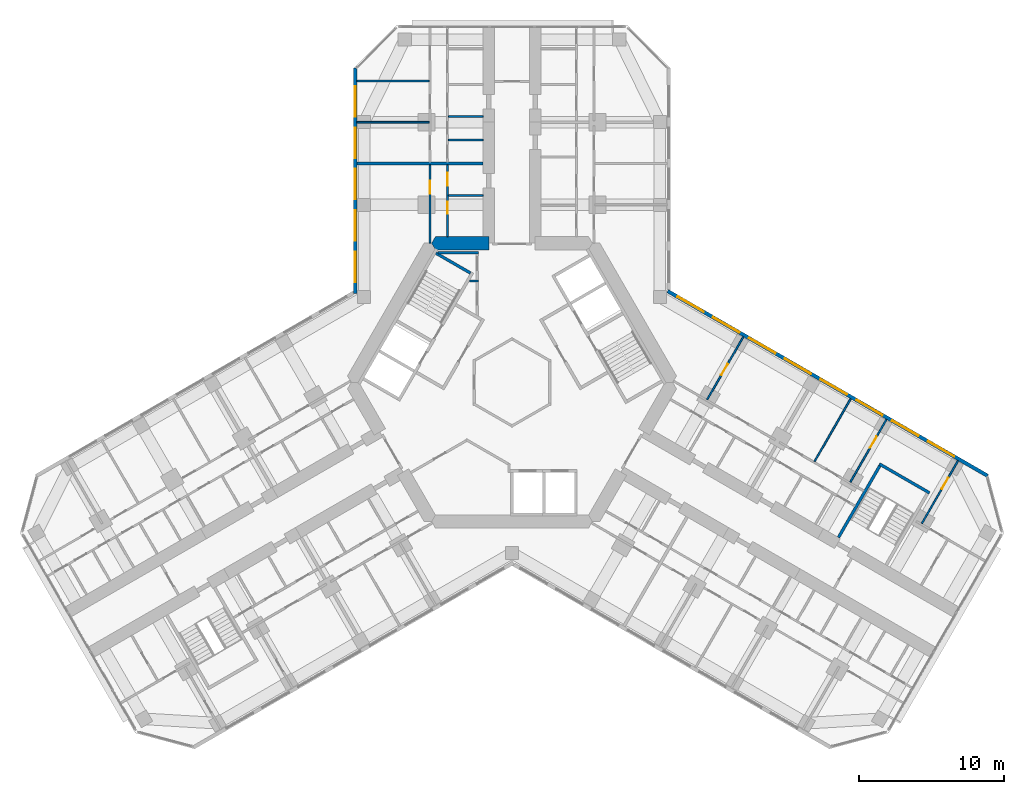
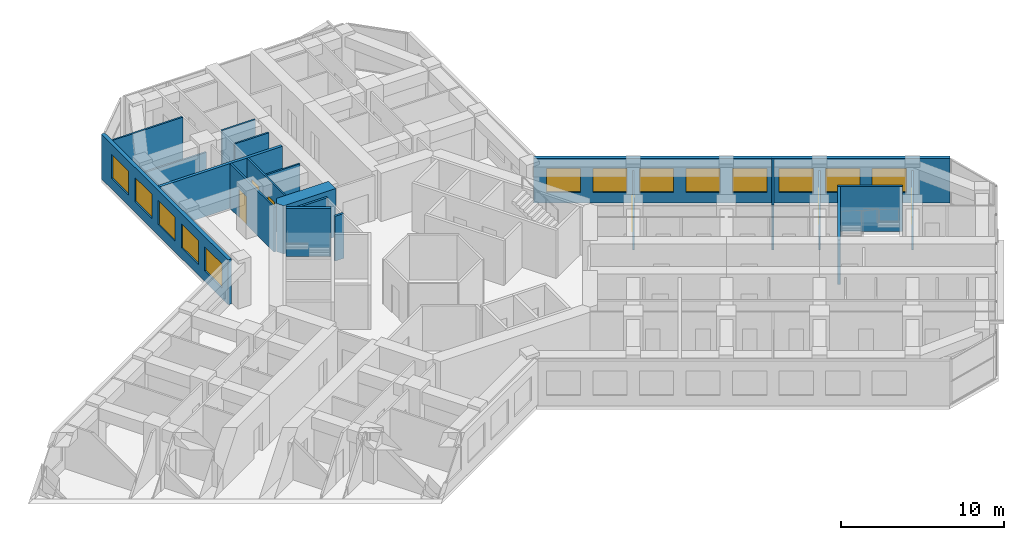
# One storey, part 16 of 19: 20 walls, 13 windows, 6 doors, 19 openings.
"""IFC4 building model written with IfcOpenShell, lengths in metres."""

from ifc_helpers import new_model, si_unit, direction, frame, frame_2d, origin, place, context, subcontext, project, spatial, polyline, rectangle, outline, extrude, material, layer, layer_set, type_object, element, fill, save


model = new_model("IFC4")

# Units and contexts
model_context = context("Model", 3, precision=1e-05, world=origin(), true_north=direction((0.0, 1.0)))
body_context = subcontext(model_context, "Body", "Model", "MODEL_VIEW")
ifc_project = project(units=[si_unit("LENGTHUNIT", "METRE"), si_unit("AREAUNIT", "SQUARE_METRE"), si_unit("VOLUMEUNIT", "CUBIC_METRE"), si_unit("PLANEANGLEUNIT", "RADIAN"), si_unit("MASSUNIT", "GRAM", prefix="KILO")], contexts=[model_context])

# Site, building, storey
site_placement = place(None, origin())
site = spatial("IfcSite", under=ifc_project, at=site_placement, CompositionType="ELEMENT")
building_placement = place(site_placement, origin())
building = spatial("IfcBuilding", under=site, at=building_placement, Name="Kosmar Iwan School Tower", CompositionType="ELEMENT")
storey_placement = place(building_placement, frame((0.0, 0.0, 165.199951171875)))
storey = spatial("IfcBuildingStorey", under=building, at=storey_placement, Name="L41", CompositionType="ELEMENT", Elevation=165.199951171875)

# Walls
ifc_material_1 = material(Name="Gypsum board on steel studs, fire-rated", Category="steel")
ifc_layer_1 = layer(ifc_material_1, 0.14990234375)
ifc_layer_set_1 = layer_set([ifc_layer_1], Name="Core room partition 150")
wall_type_1 = type_object("IfcWallType", Name="Core room partition 150", PredefinedType="PARTITIONING", material=ifc_layer_set_1)
wall_1_placement = place(storey_placement, frame((-2.324951171875, 6.985107421875, 0.0), z_axis=(0.0, 0.0, 1.0), x_axis=(-1.0, 0.0, 0.0)))
element("IfcWall", 1, at=wall_1_placement, inside=storey, type_object=wall_type_1, Name="Core room partition L41-CW2", PredefinedType="PARTITIONING", context=body_context, shape_type="SweptSolid", body=[
    extrude(rectangle(XDim=0.623779296875, YDim=0.14990234375, at=frame_2d((0.31201171875, 0.0))), origin(), (0.0, 0.0, 1.0), 3.35009765625),
])
wall_2_placement = place(storey_placement, frame((-5.089599609375, 8.93994140625, 0.0), z_axis=(0.0, 0.0, 1.0), x_axis=(1.0, 0.0, 0.0)))
element("IfcWall", 2, at=wall_2_placement, inside=storey, type_object=wall_type_1, Name="Core room partition L41-CW3", PredefinedType="PARTITIONING", context=body_context, shape_type="SweptSolid", body=[
    extrude(rectangle(XDim=2.7646484375, YDim=0.14990234375, at=frame_2d((1.38232421875, 0.0))), origin(), (0.0, 0.0, 1.0), 3.35009765625),
])
ifc_material_2 = material(Name="Concrete C50/60", Category="concrete")
ifc_layer_2 = layer(ifc_material_2, 0.89990234375)
ifc_layer_set_2 = layer_set([ifc_layer_2], Name="Core wall 900")
wall_type_2 = type_object("IfcWallType", Name="Core wall 900", PredefinedType="SHEAR", material=ifc_layer_set_2)
wall_3_placement = place(storey_placement, origin())
element("IfcWall", 3, at=wall_3_placement, inside=storey, type_object=wall_type_2, Name="Core wall F090b", PredefinedType="SHEAR", context=body_context, shape_type="SweptSolid", body=[
    extrude(outline(polyline([(-5.28271484375, 9.14990234375), (-1.60009765625, 9.14990234375), (-1.60009765625, 10.050048828125), (-5.28271484375, 10.050048828125), (-5.54248046875, 9.60009765625), (-5.28271484375, 9.14990234375)])), origin(), (0.0, 0.0, 1.0), 3.60009765625),
])

# Wall, openings, doors
ifc_material_3 = material(Name="Gypsum board on steel studs", Category="steel")
ifc_layer_3 = layer(ifc_material_3, 0.1201171875)
ifc_layer_set_3 = layer_set([ifc_layer_3], Name="Dwelling partition 120")
wall_type_3 = type_object("IfcWallType", Name="Dwelling partition 120", PredefinedType="PARTITIONING", material=ifc_layer_set_3)
wall_4_placement = place(storey_placement, frame((-4.449951171875, 10.050048828125, 0.0), z_axis=(0.0, 0.0, 1.0), x_axis=(0.0, 1.0, 0.0)))
wall_4 = element("IfcWall", 4, at=wall_4_placement, inside=storey, type_object=wall_type_3, Name="Partition L41-AL1-W1", PredefinedType="PARTITIONING", context=body_context, shape_type="SweptSolid", body=[
    extrude(rectangle(XDim=4.949951171875, YDim=0.1201171875, at=frame_2d((2.47509765625, 0.0))), origin(), (0.0, 0.0, 1.0), 3.35009765625),
])
opening_1_placement = place(wall_4_placement, frame((1.60009765625, 0.0, 0.0)))
opening_1 = element("IfcOpeningElement", 5, at=opening_1_placement, cuts=wall_4, Name="Opening D3", PredefinedType="OPENING", context=body_context, shape_type="SweptSolid", body=[
    extrude(rectangle(XDim=0.800048828125, YDim=2.10009765625, at=frame_2d((0.39990234375, 1.050048828125))), frame((0.0, 0.072021484375, 0.0), z_axis=(0.0, -1.0, 0.0), x_axis=(1.0, 0.0, 0.0)), (0.0, 0.0, 1.0), 0.14404296875),
])
opening_2_placement = place(wall_4_placement, frame((3.5, 0.0, 0.0)))
opening_2 = element("IfcOpeningElement", 6, at=opening_2_placement, cuts=wall_4, Name="Opening D2", PredefinedType="OPENING", context=body_context, shape_type="SweptSolid", body=[
    extrude(rectangle(XDim=0.89990234375, YDim=2.10009765625, at=frame_2d((0.449951171875, 1.050048828125))), frame((0.0, 0.072021484375, 0.0), z_axis=(0.0, -1.0, 0.0), x_axis=(1.0, 0.0, 0.0)), (0.0, 0.0, 1.0), 0.14404296875),
])
ifc_material_4 = material(Name="Timber door in timber frame", Category="wood")
door_type_1 = type_object("IfcDoorType", Name="Internal door 900x2100", OperationType="SINGLE_SWING_LEFT", PredefinedType="DOOR", material=ifc_material_4)
door_1_placement = place(opening_2_placement, origin())
door_1 = element("IfcDoor", 7, at=door_1_placement, inside=storey, type_object=door_type_1, Name="Entrance hall door L41-AL1-S2", OperationType="SINGLE_SWING_RIGHT", OverallHeight=2.10009765625, OverallWidth=0.89990234375, PredefinedType="DOOR", context=body_context, shape_type="SweptSolid", body=[
    extrude(rectangle(XDim=0.89990234375, YDim=2.10009765625, at=frame_2d((0.449951171875, 1.050048828125))), frame((0.0, 0.02490234375, 0.0), z_axis=(0.0, -1.0, 0.0), x_axis=(1.0, 0.0, 0.0)), (0.0, 0.0, 1.0), 0.050048828125),
])
fill(opening_2, door_1)
ifc_material_5 = material(Name="Timber door in timber frame", Category="wood")
door_type_2 = type_object("IfcDoorType", Name="Sanitary room door 800x2100", OperationType="SINGLE_SWING_LEFT", PredefinedType="DOOR", material=ifc_material_5)
door_2_placement = place(opening_1_placement, origin())
door_2 = element("IfcDoor", 8, at=door_2_placement, inside=storey, type_object=door_type_2, Name="Bathroom door L41-AL1-S1", OperationType="SINGLE_SWING_LEFT", OverallHeight=2.10009765625, OverallWidth=0.800048828125, PredefinedType="DOOR", context=body_context, shape_type="SweptSolid", body=[
    extrude(rectangle(XDim=0.800048828125, YDim=2.10009765625, at=frame_2d((0.39990234375, 1.050048828125))), frame((0.0, 0.02490234375, 0.0), z_axis=(0.0, -1.0, 0.0), x_axis=(1.0, 0.0, 0.0)), (0.0, 0.0, 1.0), 0.050048828125),
])
fill(opening_1, door_2)

# Wall, opening, door
wall_5_placement = place(storey_placement, frame((-5.64990234375, 9.60009765625, 0.0), z_axis=(0.0, 0.0, 1.0), x_axis=(0.0, 1.0, 0.0)))
wall_5 = element("IfcWall", 9, at=wall_5_placement, inside=storey, type_object=wall_type_3, Name="Partition L41-AL1-W2", PredefinedType="PARTITIONING", context=body_context, shape_type="SweptSolid", body=[
    extrude(rectangle(XDim=5.39990234375, YDim=0.1201171875, at=frame_2d((2.699951171875, 0.0))), origin(), (0.0, 0.0, 1.0), 3.35009765625),
])
opening_3_placement = place(wall_5_placement, frame((3.39990234375, 0.0, 0.0)))
opening_3 = element("IfcOpeningElement", 10, at=opening_3_placement, cuts=wall_5, Name="Opening D2", PredefinedType="OPENING", context=body_context, shape_type="SweptSolid", body=[
    extrude(rectangle(XDim=0.89990234375, YDim=2.10009765625, at=frame_2d((0.449951171875, 1.050048828125))), frame((0.0, 0.072021484375, 0.0), z_axis=(0.0, -1.0, 0.0), x_axis=(1.0, 0.0, 0.0)), (0.0, 0.0, 1.0), 0.14404296875),
])
door_3_placement = place(opening_3_placement, origin())
door_3 = element("IfcDoor", 11, at=door_3_placement, inside=storey, type_object=door_type_1, Name="Studio living room and kitchen door L41-AL1-F1", OperationType="SINGLE_SWING_RIGHT", OverallHeight=2.10009765625, OverallWidth=0.89990234375, PredefinedType="DOOR", context=body_context, shape_type="SweptSolid", body=[
    extrude(rectangle(XDim=0.89990234375, YDim=2.10009765625, at=frame_2d((0.449951171875, 1.050048828125))), frame((0.0, 0.02490234375, 0.0), z_axis=(0.0, -1.0, 0.0), x_axis=(1.0, 0.0, 0.0)), (0.0, 0.0, 1.0), 0.050048828125),
])
fill(opening_3, door_3)

# Walls
wall_6_placement = place(storey_placement, frame((-2.0, 12.89990234375, 0.0), z_axis=(0.0, 0.0, 1.0), x_axis=(-1.0, 0.0, 0.0)))
element("IfcWall", 12, at=wall_6_placement, inside=storey, type_object=wall_type_3, Name="Partition L41-AL1-Y1", PredefinedType="PARTITIONING", context=body_context, shape_type="SweptSolid", body=[
    extrude(rectangle(XDim=2.389892578125, YDim=0.1201171875, at=frame_2d((1.19482421875, 0.0))), origin(), (0.0, 0.0, 1.0), 3.35009765625),
])
wall_7_placement = place(storey_placement, frame((-5.7099609375, 17.949951171875, 0.0), z_axis=(0.0, 0.0, 1.0), x_axis=(-1.0, 0.0, 0.0)))
element("IfcWall", 13, at=wall_7_placement, inside=storey, type_object=wall_type_3, Name="Partition L41-AL2-X1", PredefinedType="PARTITIONING", context=body_context, shape_type="SweptSolid", body=[
    extrude(rectangle(XDim=4.989990234375, YDim=0.1201171875, at=frame_2d((2.4951171875, 0.0))), origin(), (0.0, 0.0, 1.0), 2.449951171875),
])
wall_8_placement = place(storey_placement, frame((-5.7099609375, 20.800048828125, 0.0), z_axis=(0.0, 0.0, 1.0), x_axis=(-1.0, 0.0, 0.0)))
element("IfcWall", 14, at=wall_8_placement, inside=storey, type_object=wall_type_3, Name="Partition L41-AL2-X2", PredefinedType="PARTITIONING", context=body_context, shape_type="SweptSolid", body=[
    extrude(rectangle(XDim=4.989990234375, YDim=0.1201171875, at=frame_2d((2.4951171875, 0.0))), origin(), (0.0, 0.0, 1.0), 3.35009765625),
])
for number, where, z_axis, x_axis, name in (
    (15, (-2.0, 16.72509765625, 0.0), (0.0, 0.0, 1.0), (-1.0, 0.0, 0.0), "Partition L41-AL2-Y1"),
    (16, (-2.0, 18.35009765625, 0.0), (0.0, 0.0, 1.0), (-1.0, 0.0, 0.0), "Partition L41-AL2-Y2"),
):
    element("IfcWall", number, at=place(storey_placement, frame(where, z_axis=z_axis, x_axis=x_axis)), inside=storey, type_object=wall_type_3, Name=name, PredefinedType="PARTITIONING", context=body_context, shape_type="SweptSolid", body=[
        extrude(rectangle(XDim=2.389892578125, YDim=0.1201171875, at=frame_2d((1.19482421875, 0.0))), origin(), (0.0, 0.0, 1.0), 3.35009765625),
    ])

# Wall, opening, door
wall_9_placement = place(storey_placement, frame((13.4638671875, -1.179931640625, 0.0), z_axis=(0.0, 0.0, 1.0), x_axis=(0.499975153383, 0.86603974851, 0.0)))
wall_9 = element("IfcWall", 17, at=wall_9_placement, inside=storey, type_object=wall_type_3, Name="Partition L41-CL1-X1", PredefinedType="PARTITIONING", context=body_context, shape_type="SweptSolid", body=[
    extrude(rectangle(XDim=4.989990234375, YDim=0.1201171875, at=frame_2d((2.4951171875, 0.0))), origin(), (0.0, 0.0, 1.0), 2.449951171875),
])
opening_4_placement = place(wall_9_placement, frame((1.93994140625, 0.0, 0.0)))
opening_4 = element("IfcOpeningElement", 18, at=opening_4_placement, cuts=wall_9, Name="Opening D2", PredefinedType="OPENING", context=body_context, shape_type="SweptSolid", body=[
    extrude(rectangle(XDim=0.89990234375, YDim=2.10009765625, at=frame_2d((0.449951171875, 1.050048828125))), frame((0.0, 0.072021484375, 0.0), z_axis=(0.0, -1.0, 0.0), x_axis=(1.0, 0.0, 0.0)), (0.0, 0.0, 1.0), 0.14404296875),
])
door_4_placement = place(opening_4_placement, origin())
door_4 = element("IfcDoor", 19, at=door_4_placement, inside=storey, type_object=door_type_1, Name="Kitchen and dining room door L41-CL1-F1", OperationType="SINGLE_SWING_LEFT", OverallHeight=2.10009765625, OverallWidth=0.89990234375, PredefinedType="DOOR", context=body_context, shape_type="SweptSolid", body=[
    extrude(rectangle(XDim=0.89990234375, YDim=2.10009765625, at=frame_2d((0.449951171875, 1.050048828125))), frame((0.0, 0.02490234375, 0.0), z_axis=(0.0, -1.0, 0.0), x_axis=(1.0, 0.0, 0.0)), (0.0, 0.0, 1.0), 0.050048828125),
])
fill(opening_4, door_4)

# Wall
wall_10_placement = place(storey_placement, frame((20.868408203125, -5.455078125, 0.0), z_axis=(0.0, 0.0, 1.0), x_axis=(0.499975153383, 0.86603974851, 0.0)))
element("IfcWall", 20, at=wall_10_placement, inside=storey, type_object=wall_type_3, Name="Partition L41-CL2-X1", PredefinedType="PARTITIONING", context=body_context, shape_type="SweptSolid", body=[
    extrude(rectangle(XDim=4.989990234375, YDim=0.1201171875, at=frame_2d((2.4951171875, 0.0))), origin(), (0.0, 0.0, 1.0), 3.35009765625),
])

# Wall, opening, door
wall_11_placement = place(storey_placement, frame((23.33642578125, -6.8798828125, 0.0), z_axis=(0.0, 0.0, 1.0), x_axis=(0.500033033937, 0.866006330792, 0.0)))
wall_11 = element("IfcWall", 21, at=wall_11_placement, inside=storey, type_object=wall_type_3, Name="Partition L41-CL2-TB", PredefinedType="PARTITIONING", context=body_context, shape_type="SweptSolid", body=[
    extrude(rectangle(XDim=4.989990234375, YDim=0.1201171875, at=frame_2d((2.4951171875, 0.0))), origin(), (0.0, 0.0, 1.0), 2.449951171875),
])
opening_5_placement = place(wall_11_placement, frame((2.739990234375, 0.0, 0.0)))
opening_5 = element("IfcOpeningElement", 22, at=opening_5_placement, cuts=wall_11, Name="Opening D2", PredefinedType="OPENING", context=body_context, shape_type="SweptSolid", body=[
    extrude(rectangle(XDim=0.89990234375, YDim=2.10009765625, at=frame_2d((0.449951171875, 1.050048828125))), frame((0.0, 0.072021484375, 0.0), z_axis=(0.0, -1.0, 0.0), x_axis=(1.0, 0.0, 0.0)), (0.0, 0.0, 1.0), 0.14404296875),
])
door_5_placement = place(opening_5_placement, origin())
door_5 = element("IfcDoor", 23, at=door_5_placement, inside=storey, type_object=door_type_1, Name="Study door L41-CL2-F2", OperationType="SINGLE_SWING_RIGHT", OverallHeight=2.10009765625, OverallWidth=0.89990234375, PredefinedType="DOOR", context=body_context, shape_type="SweptSolid", body=[
    extrude(rectangle(XDim=0.89990234375, YDim=2.10009765625, at=frame_2d((0.449951171875, 1.050048828125))), frame((0.0, 0.02490234375, 0.0), z_axis=(0.0, -1.0, 0.0), x_axis=(1.0, 0.0, 0.0)), (0.0, 0.0, 1.0), 0.050048828125),
])
fill(opening_5, door_5)

wall_12_placement = place(storey_placement, frame((28.27294921875, -9.72998046875, 0.0), z_axis=(0.0, 0.0, 1.0), x_axis=(0.499975153383, 0.86603974851, 0.0)))
wall_12 = element("IfcWall", 24, at=wall_12_placement, inside=storey, type_object=wall_type_3, Name="Partition L41-CL2-TX", PredefinedType="PARTITIONING", context=body_context, shape_type="SweptSolid", body=[
    extrude(rectangle(XDim=4.989990234375, YDim=0.1201171875, at=frame_2d((2.4951171875, 0.0))), origin(), (0.0, 0.0, 1.0), 2.449951171875),
])
opening_6_placement = place(wall_12_placement, frame((2.739990234375, 0.0, 0.0)))
opening_6 = element("IfcOpeningElement", 25, at=opening_6_placement, cuts=wall_12, Name="Opening D2", PredefinedType="OPENING", context=body_context, shape_type="SweptSolid", body=[
    extrude(rectangle(XDim=0.89990234375, YDim=2.10009765625, at=frame_2d((0.449951171875, 1.050048828125))), frame((0.0, 0.072021484375, 0.0), z_axis=(0.0, -1.0, 0.0), x_axis=(1.0, 0.0, 0.0)), (0.0, 0.0, 1.0), 0.14404296875),
])
door_6_placement = place(opening_6_placement, origin())
door_6 = element("IfcDoor", 26, at=door_6_placement, inside=storey, type_object=door_type_1, Name="Study door L41-CL2-T1", OperationType="SINGLE_SWING_RIGHT", OverallHeight=2.10009765625, OverallWidth=0.89990234375, PredefinedType="DOOR", context=body_context, shape_type="SweptSolid", body=[
    extrude(rectangle(XDim=0.89990234375, YDim=2.10009765625, at=frame_2d((0.449951171875, 1.050048828125))), frame((0.0, 0.02490234375, 0.0), z_axis=(0.0, -1.0, 0.0), x_axis=(1.0, 0.0, 0.0)), (0.0, 0.0, 1.0), 0.050048828125),
])
fill(opening_6, door_6)

# Walls
ifc_material_6 = material(Name="Concrete C35/45", Category="concrete")
ifc_layer_4 = layer(ifc_material_6, 0.199951171875)
ifc_layer_set_4 = layer_set([ifc_layer_4], Name="Escape stair wall 200")
wall_type_4 = type_object("IfcWallType", Name="Escape stair wall 200", PredefinedType="SHEAR", material=ifc_layer_set_4)
wall_13_placement = place(storey_placement, frame((22.520751953125, -10.69287109375, 0.0), z_axis=(0.0, 0.0, 1.0), x_axis=(0.500006628179, 0.86602157697, 0.0)))
element("IfcWall", 27, at=wall_13_placement, inside=storey, type_object=wall_type_4, Name="Stair WS3 wall", PredefinedType="SHEAR", context=body_context, shape_type="SweptSolid", body=[
    extrude(rectangle(XDim=5.89990234375, YDim=0.199951171875, at=frame_2d((2.949951171875, 0.0))), origin(), (0.0, 0.0, 1.0), 3.330078125),
])
wall_14_placement = place(storey_placement, frame((25.334228515625, -5.6201171875, 0.0), z_axis=(0.0, 0.0, 1.0), x_axis=(0.866026010844, -0.49999894854, 0.0)))
element("IfcWall", 28, at=wall_14_placement, inside=storey, type_object=wall_type_4, Name="Stair WS3 wall", PredefinedType="SHEAR", context=body_context, shape_type="SweptSolid", body=[
    extrude(rectangle(XDim=4.0, YDim=0.199951171875, at=frame_2d((2.0, 0.0))), origin(), (0.0, 0.0, 1.0), 3.330078125),
])

# Wall, openings, windows
ifc_material_7 = material(Name="Black aluminium rainscreen on insulated framing", Category="aluminium")
ifc_layer_5 = layer(ifc_material_7, 0.25)
ifc_layer_set_5 = layer_set([ifc_layer_5], Name="External wall rainscreen 250")
wall_type_5 = type_object("IfcWallType", Name="External wall rainscreen 250", PredefinedType="SOLIDWALL", material=ifc_layer_set_5)
wall_15_placement = place(storey_placement, frame((10.73681640625, 6.30078125, 0.0), z_axis=(0.0, 0.0, 1.0), x_axis=(0.866026390279, -0.499998291337, 0.0)))
wall_15 = element("IfcWall", 29, at=wall_15_placement, inside=storey, type_object=wall_type_5, Name="External wall CL L41", PredefinedType="SOLIDWALL", context=body_context, shape_type="SweptSolid", body=[
    extrude(rectangle(XDim=25.4873046875, YDim=0.25, at=frame_2d((12.74365234375, 0.0))), origin(), (0.0, 0.0, 1.0), 3.35009765625),
])
opening_7_placement = place(wall_15_placement, frame((0.777099609375, 0.0, 0.800048828125)))
opening_7 = element("IfcOpeningElement", 30, at=opening_7_placement, cuts=wall_15, Name="Opening W4", PredefinedType="OPENING", context=body_context, shape_type="SweptSolid", body=[
    extrude(rectangle(XDim=2.10009765625, YDim=1.800048828125, at=frame_2d((1.050048828125, 0.89990234375))), frame((0.0, 0.136962890625, 0.0), z_axis=(0.0, -1.0, 0.0), x_axis=(1.0, 0.0, 0.0)), (0.0, 0.0, 1.0), 0.27392578125),
])
opening_8_placement = place(wall_15_placement, frame((3.626953125, 0.0, 0.800048828125)))
opening_8 = element("IfcOpeningElement", 31, at=opening_8_placement, cuts=wall_15, Name="Opening W4", PredefinedType="OPENING", context=body_context, shape_type="SweptSolid", body=[
    extrude(rectangle(XDim=2.10009765625, YDim=1.800048828125, at=frame_2d((1.050048828125, 0.89990234375))), frame((0.0, 0.136962890625, 0.0), z_axis=(0.0, -1.0, 0.0), x_axis=(1.0, 0.0, 0.0)), (0.0, 0.0, 1.0), 0.27392578125),
])
opening_9_placement = place(wall_15_placement, frame((6.47705078125, 0.0, 0.800048828125)))
opening_9 = element("IfcOpeningElement", 32, at=opening_9_placement, cuts=wall_15, Name="Opening W4", PredefinedType="OPENING", context=body_context, shape_type="SweptSolid", body=[
    extrude(rectangle(XDim=2.10009765625, YDim=1.800048828125, at=frame_2d((1.050048828125, 0.89990234375))), frame((0.0, 0.136962890625, 0.0), z_axis=(0.0, -1.0, 0.0), x_axis=(1.0, 0.0, 0.0)), (0.0, 0.0, 1.0), 0.27392578125),
])
opening_10_placement = place(wall_15_placement, frame((9.326904296875, 0.0, 0.800048828125)))
opening_10 = element("IfcOpeningElement", 33, at=opening_10_placement, cuts=wall_15, Name="Opening W4", PredefinedType="OPENING", context=body_context, shape_type="SweptSolid", body=[
    extrude(rectangle(XDim=2.10009765625, YDim=1.800048828125, at=frame_2d((1.050048828125, 0.89990234375))), frame((0.0, 0.136962890625, 0.0), z_axis=(0.0, -1.0, 0.0), x_axis=(1.0, 0.0, 0.0)), (0.0, 0.0, 1.0), 0.27392578125),
])
opening_11_placement = place(wall_15_placement, frame((12.177001953125, 0.0, 0.800048828125)))
opening_11 = element("IfcOpeningElement", 34, at=opening_11_placement, cuts=wall_15, Name="Opening W4", PredefinedType="OPENING", context=body_context, shape_type="SweptSolid", body=[
    extrude(rectangle(XDim=2.10009765625, YDim=1.800048828125, at=frame_2d((1.050048828125, 0.89990234375))), frame((0.0, 0.136962890625, 0.0), z_axis=(0.0, -1.0, 0.0), x_axis=(1.0, 0.0, 0.0)), (0.0, 0.0, 1.0), 0.27392578125),
])
opening_12_placement = place(wall_15_placement, frame((15.027099609375, 0.0, 0.800048828125)))
opening_12 = element("IfcOpeningElement", 35, at=opening_12_placement, cuts=wall_15, Name="Opening W4", PredefinedType="OPENING", context=body_context, shape_type="SweptSolid", body=[
    extrude(rectangle(XDim=2.10009765625, YDim=1.800048828125, at=frame_2d((1.050048828125, 0.89990234375))), frame((0.0, 0.136962890625, 0.0), z_axis=(0.0, -1.0, 0.0), x_axis=(1.0, 0.0, 0.0)), (0.0, 0.0, 1.0), 0.27392578125),
])
opening_13_placement = place(wall_15_placement, frame((17.876953125, 0.0, 0.800048828125)))
opening_13 = element("IfcOpeningElement", 36, at=opening_13_placement, cuts=wall_15, Name="Opening W4", PredefinedType="OPENING", context=body_context, shape_type="SweptSolid", body=[
    extrude(rectangle(XDim=2.10009765625, YDim=1.800048828125, at=frame_2d((1.050048828125, 0.89990234375))), frame((0.0, 0.136962890625, 0.0), z_axis=(0.0, -1.0, 0.0), x_axis=(1.0, 0.0, 0.0)), (0.0, 0.0, 1.0), 0.27392578125),
])
opening_14_placement = place(wall_15_placement, frame((20.72705078125, 0.0, 0.800048828125)))
opening_14 = element("IfcOpeningElement", 37, at=opening_14_placement, cuts=wall_15, Name="Opening W4", PredefinedType="OPENING", context=body_context, shape_type="SweptSolid", body=[
    extrude(rectangle(XDim=2.10009765625, YDim=1.800048828125, at=frame_2d((1.050048828125, 0.89990234375))), frame((0.0, 0.136962890625, 0.0), z_axis=(0.0, -1.0, 0.0), x_axis=(1.0, 0.0, 0.0)), (0.0, 0.0, 1.0), 0.27392578125),
])
ifc_material_8 = material(Name="Black aluminium frame with dark triple glazing", Category="aluminium")
window_type = type_object("IfcWindowType", Name="Window 2100x1800", PartitioningType="SINGLE_PANEL", PredefinedType="WINDOW", material=ifc_material_8)
window_1_placement = place(opening_7_placement, origin())
window_1 = element("IfcWindow", 38, at=window_1_placement, inside=storey, type_object=window_type, Name="Window CL L41 -1", OverallHeight=1.800048828125, OverallWidth=2.10009765625, PartitioningType="SINGLE_PANEL", PredefinedType="WINDOW", context=body_context, shape_type="SweptSolid", body=[
    extrude(rectangle(XDim=2.10009765625, YDim=1.800048828125, at=frame_2d((1.050048828125, 0.89990234375))), frame((0.0, 0.030029296875, 0.0), z_axis=(0.0, -1.0, 0.0), x_axis=(1.0, 0.0, 0.0)), (0.0, 0.0, 1.0), 0.06005859375),
])
fill(opening_7, window_1)
window_2_placement = place(opening_8_placement, origin())
window_2 = element("IfcWindow", 39, at=window_2_placement, inside=storey, type_object=window_type, Name="Window CL L41 0", OverallHeight=1.800048828125, OverallWidth=2.10009765625, PartitioningType="SINGLE_PANEL", PredefinedType="WINDOW", context=body_context, shape_type="SweptSolid", body=[
    extrude(rectangle(XDim=2.10009765625, YDim=1.800048828125, at=frame_2d((1.050048828125, 0.89990234375))), frame((0.0, 0.030029296875, 0.0), z_axis=(0.0, -1.0, 0.0), x_axis=(1.0, 0.0, 0.0)), (0.0, 0.0, 1.0), 0.06005859375),
])
fill(opening_8, window_2)
window_3_placement = place(opening_9_placement, origin())
window_3 = element("IfcWindow", 40, at=window_3_placement, inside=storey, type_object=window_type, Name="Window CL L41 1", OverallHeight=1.800048828125, OverallWidth=2.10009765625, PartitioningType="SINGLE_PANEL", PredefinedType="WINDOW", context=body_context, shape_type="SweptSolid", body=[
    extrude(rectangle(XDim=2.10009765625, YDim=1.800048828125, at=frame_2d((1.050048828125, 0.89990234375))), frame((0.0, 0.030029296875, 0.0), z_axis=(0.0, -1.0, 0.0), x_axis=(1.0, 0.0, 0.0)), (0.0, 0.0, 1.0), 0.06005859375),
])
fill(opening_9, window_3)
window_4_placement = place(opening_10_placement, origin())
window_4 = element("IfcWindow", 41, at=window_4_placement, inside=storey, type_object=window_type, Name="Window CL L41 2", OverallHeight=1.800048828125, OverallWidth=2.10009765625, PartitioningType="SINGLE_PANEL", PredefinedType="WINDOW", context=body_context, shape_type="SweptSolid", body=[
    extrude(rectangle(XDim=2.10009765625, YDim=1.800048828125, at=frame_2d((1.050048828125, 0.89990234375))), frame((0.0, 0.030029296875, 0.0), z_axis=(0.0, -1.0, 0.0), x_axis=(1.0, 0.0, 0.0)), (0.0, 0.0, 1.0), 0.06005859375),
])
fill(opening_10, window_4)
window_5_placement = place(opening_11_placement, origin())
window_5 = element("IfcWindow", 42, at=window_5_placement, inside=storey, type_object=window_type, Name="Window CL L41 3", OverallHeight=1.800048828125, OverallWidth=2.10009765625, PartitioningType="SINGLE_PANEL", PredefinedType="WINDOW", context=body_context, shape_type="SweptSolid", body=[
    extrude(rectangle(XDim=2.10009765625, YDim=1.800048828125, at=frame_2d((1.050048828125, 0.89990234375))), frame((0.0, 0.030029296875, 0.0), z_axis=(0.0, -1.0, 0.0), x_axis=(1.0, 0.0, 0.0)), (0.0, 0.0, 1.0), 0.06005859375),
])
fill(opening_11, window_5)
window_6_placement = place(opening_12_placement, origin())
window_6 = element("IfcWindow", 43, at=window_6_placement, inside=storey, type_object=window_type, Name="Window CL L41 4", OverallHeight=1.800048828125, OverallWidth=2.10009765625, PartitioningType="SINGLE_PANEL", PredefinedType="WINDOW", context=body_context, shape_type="SweptSolid", body=[
    extrude(rectangle(XDim=2.10009765625, YDim=1.800048828125, at=frame_2d((1.050048828125, 0.89990234375))), frame((0.0, 0.030029296875, 0.0), z_axis=(0.0, -1.0, 0.0), x_axis=(1.0, 0.0, 0.0)), (0.0, 0.0, 1.0), 0.06005859375),
])
fill(opening_12, window_6)
window_7_placement = place(opening_13_placement, origin())
window_7 = element("IfcWindow", 44, at=window_7_placement, inside=storey, type_object=window_type, Name="Window CL L41 5", OverallHeight=1.800048828125, OverallWidth=2.10009765625, PartitioningType="SINGLE_PANEL", PredefinedType="WINDOW", context=body_context, shape_type="SweptSolid", body=[
    extrude(rectangle(XDim=2.10009765625, YDim=1.800048828125, at=frame_2d((1.050048828125, 0.89990234375))), frame((0.0, 0.030029296875, 0.0), z_axis=(0.0, -1.0, 0.0), x_axis=(1.0, 0.0, 0.0)), (0.0, 0.0, 1.0), 0.06005859375),
])
fill(opening_13, window_7)
window_8_placement = place(opening_14_placement, origin())
window_8 = element("IfcWindow", 45, at=window_8_placement, inside=storey, type_object=window_type, Name="Window CL L41 6", OverallHeight=1.800048828125, OverallWidth=2.10009765625, PartitioningType="SINGLE_PANEL", PredefinedType="WINDOW", context=body_context, shape_type="SweptSolid", body=[
    extrude(rectangle(XDim=2.10009765625, YDim=1.800048828125, at=frame_2d((1.050048828125, 0.89990234375))), frame((0.0, 0.030029296875, 0.0), z_axis=(0.0, -1.0, 0.0), x_axis=(1.0, 0.0, 0.0)), (0.0, 0.0, 1.0), 0.06005859375),
])
fill(opening_14, window_8)

wall_16_placement = place(storey_placement, frame((-10.824951171875, 6.14794921875, 0.0), z_axis=(0.0, 0.0, 1.0), x_axis=(0.0, 1.0, 0.0)))
wall_16 = element("IfcWall", 46, at=wall_16_placement, inside=storey, type_object=wall_type_5, Name="External wall AL L41", PredefinedType="SOLIDWALL", context=body_context, shape_type="SweptSolid", body=[
    extrude(rectangle(XDim=15.537353515625, YDim=0.25, at=frame_2d((7.7685546875, 0.0))), origin(), (0.0, 0.0, 1.0), 3.35009765625),
])
opening_15_placement = place(wall_16_placement, frame((0.777099609375, 0.0, 0.800048828125)))
opening_15 = element("IfcOpeningElement", 47, at=opening_15_placement, cuts=wall_16, Name="Opening W4", PredefinedType="OPENING", context=body_context, shape_type="SweptSolid", body=[
    extrude(rectangle(XDim=2.10009765625, YDim=1.800048828125, at=frame_2d((1.050048828125, 0.89990234375))), frame((0.0, 0.136962890625, 0.0), z_axis=(0.0, -1.0, 0.0), x_axis=(1.0, 0.0, 0.0)), (0.0, 0.0, 1.0), 0.27392578125),
])
opening_16_placement = place(wall_16_placement, frame((3.626953125, 0.0, 0.800048828125)))
opening_16 = element("IfcOpeningElement", 48, at=opening_16_placement, cuts=wall_16, Name="Opening W4", PredefinedType="OPENING", context=body_context, shape_type="SweptSolid", body=[
    extrude(rectangle(XDim=2.10009765625, YDim=1.800048828125, at=frame_2d((1.050048828125, 0.89990234375))), frame((0.0, 0.136962890625, 0.0), z_axis=(0.0, -1.0, 0.0), x_axis=(1.0, 0.0, 0.0)), (0.0, 0.0, 1.0), 0.27392578125),
])
opening_17_placement = place(wall_16_placement, frame((6.47705078125, 0.0, 0.800048828125)))
opening_17 = element("IfcOpeningElement", 49, at=opening_17_placement, cuts=wall_16, Name="Opening W4", PredefinedType="OPENING", context=body_context, shape_type="SweptSolid", body=[
    extrude(rectangle(XDim=2.10009765625, YDim=1.800048828125, at=frame_2d((1.050048828125, 0.89990234375))), frame((0.0, 0.136962890625, 0.0), z_axis=(0.0, -1.0, 0.0), x_axis=(1.0, 0.0, 0.0)), (0.0, 0.0, 1.0), 0.27392578125),
])
opening_18_placement = place(wall_16_placement, frame((9.326904296875, 0.0, 0.800048828125)))
opening_18 = element("IfcOpeningElement", 50, at=opening_18_placement, cuts=wall_16, Name="Opening W4", PredefinedType="OPENING", context=body_context, shape_type="SweptSolid", body=[
    extrude(rectangle(XDim=2.10009765625, YDim=1.800048828125, at=frame_2d((1.050048828125, 0.89990234375))), frame((0.0, 0.136962890625, 0.0), z_axis=(0.0, -1.0, 0.0), x_axis=(1.0, 0.0, 0.0)), (0.0, 0.0, 1.0), 0.27392578125),
])
opening_19_placement = place(wall_16_placement, frame((12.177001953125, 0.0, 0.800048828125)))
opening_19 = element("IfcOpeningElement", 51, at=opening_19_placement, cuts=wall_16, Name="Opening W4", PredefinedType="OPENING", context=body_context, shape_type="SweptSolid", body=[
    extrude(rectangle(XDim=2.10009765625, YDim=1.800048828125, at=frame_2d((1.050048828125, 0.89990234375))), frame((0.0, 0.136962890625, 0.0), z_axis=(0.0, -1.0, 0.0), x_axis=(1.0, 0.0, 0.0)), (0.0, 0.0, 1.0), 0.27392578125),
])
window_9_placement = place(opening_15_placement, origin())
window_9 = element("IfcWindow", 52, at=window_9_placement, inside=storey, type_object=window_type, Name="Window AL L41 -1", OverallHeight=1.800048828125, OverallWidth=2.10009765625, PartitioningType="SINGLE_PANEL", PredefinedType="WINDOW", context=body_context, shape_type="SweptSolid", body=[
    extrude(rectangle(XDim=2.10009765625, YDim=1.800048828125, at=frame_2d((1.050048828125, 0.89990234375))), frame((0.0, 0.030029296875, 0.0), z_axis=(0.0, -1.0, 0.0), x_axis=(1.0, 0.0, 0.0)), (0.0, 0.0, 1.0), 0.06005859375),
])
fill(opening_15, window_9)
window_10_placement = place(opening_16_placement, origin())
window_10 = element("IfcWindow", 53, at=window_10_placement, inside=storey, type_object=window_type, Name="Window AL L41 0", OverallHeight=1.800048828125, OverallWidth=2.10009765625, PartitioningType="SINGLE_PANEL", PredefinedType="WINDOW", context=body_context, shape_type="SweptSolid", body=[
    extrude(rectangle(XDim=2.10009765625, YDim=1.800048828125, at=frame_2d((1.050048828125, 0.89990234375))), frame((0.0, 0.030029296875, 0.0), z_axis=(0.0, -1.0, 0.0), x_axis=(1.0, 0.0, 0.0)), (0.0, 0.0, 1.0), 0.06005859375),
])
fill(opening_16, window_10)
window_11_placement = place(opening_17_placement, origin())
window_11 = element("IfcWindow", 54, at=window_11_placement, inside=storey, type_object=window_type, Name="Window AL L41 1", OverallHeight=1.800048828125, OverallWidth=2.10009765625, PartitioningType="SINGLE_PANEL", PredefinedType="WINDOW", context=body_context, shape_type="SweptSolid", body=[
    extrude(rectangle(XDim=2.10009765625, YDim=1.800048828125, at=frame_2d((1.050048828125, 0.89990234375))), frame((0.0, 0.030029296875, 0.0), z_axis=(0.0, -1.0, 0.0), x_axis=(1.0, 0.0, 0.0)), (0.0, 0.0, 1.0), 0.06005859375),
])
fill(opening_17, window_11)
window_12_placement = place(opening_18_placement, origin())
window_12 = element("IfcWindow", 55, at=window_12_placement, inside=storey, type_object=window_type, Name="Window AL L41 2", OverallHeight=1.800048828125, OverallWidth=2.10009765625, PartitioningType="SINGLE_PANEL", PredefinedType="WINDOW", context=body_context, shape_type="SweptSolid", body=[
    extrude(rectangle(XDim=2.10009765625, YDim=1.800048828125, at=frame_2d((1.050048828125, 0.89990234375))), frame((0.0, 0.030029296875, 0.0), z_axis=(0.0, -1.0, 0.0), x_axis=(1.0, 0.0, 0.0)), (0.0, 0.0, 1.0), 0.06005859375),
])
fill(opening_18, window_12)
window_13_placement = place(opening_19_placement, origin())
window_13 = element("IfcWindow", 56, at=window_13_placement, inside=storey, type_object=window_type, Name="Window AL L41 3", OverallHeight=1.800048828125, OverallWidth=2.10009765625, PartitioningType="SINGLE_PANEL", PredefinedType="WINDOW", context=body_context, shape_type="SweptSolid", body=[
    extrude(rectangle(XDim=2.10009765625, YDim=1.800048828125, at=frame_2d((1.050048828125, 0.89990234375))), frame((0.0, 0.030029296875, 0.0), z_axis=(0.0, -1.0, 0.0), x_axis=(1.0, 0.0, 0.0)), (0.0, 0.0, 1.0), 0.06005859375),
])
fill(opening_19, window_13)

# Walls
ifc_material_9 = material(Name="Concrete block masonry", Category="masonry")
ifc_layer_6 = layer(ifc_material_9, 0.199951171875)
ifc_layer_set_6 = layer_set([ifc_layer_6], Name="Party wall 200")
wall_type_6 = type_object("IfcWallType", Name="Party wall 200", PredefinedType="PARTITIONING", material=ifc_layer_set_6)
wall_17_placement = place(storey_placement, frame((-2.0, 15.10009765625, 0.0), z_axis=(0.0, 0.0, 1.0), x_axis=(-1.0, 0.0, 0.0)))
element("IfcWall", 57, at=wall_17_placement, inside=storey, type_object=wall_type_6, Name="Partition L41-AL2-PW", PredefinedType="PARTITIONING", context=body_context, shape_type="SweptSolid", body=[
    extrude(rectangle(XDim=8.699951171875, YDim=0.199951171875, at=frame_2d((4.35009765625, 0.0))), origin(), (0.0, 0.0, 1.0), 3.35009765625),
])
ifc_material_10 = material(Name="Concrete C50/60", Category="concrete")
ifc_layer_7 = layer(ifc_material_10, 0.199951171875)
ifc_layer_set_7 = layer_set([ifc_layer_7], Name="Stair enclosure wall 200")
wall_type_7 = type_object("IfcWallType", Name="Stair enclosure wall 200", PredefinedType="SHEAR", material=ifc_layer_set_7)
wall_18_placement = place(storey_placement, frame((-2.862548828125, 7.541748046875, 0.0), z_axis=(0.0, 0.0, 1.0), x_axis=(-0.866027397988, 0.499996545922, 0.0)))
element("IfcWall", 58, at=wall_18_placement, inside=storey, type_object=wall_type_7, Name="Stair ST2 wall", PredefinedType="SHEAR", context=body_context, shape_type="SweptSolid", body=[
    extrude(rectangle(XDim=2.75, YDim=0.199951171875, at=frame_2d((1.375, 0.0))), origin(), (0.0, 0.0, 1.0), 3.60009765625),
])

save(model, "model.ifc")
